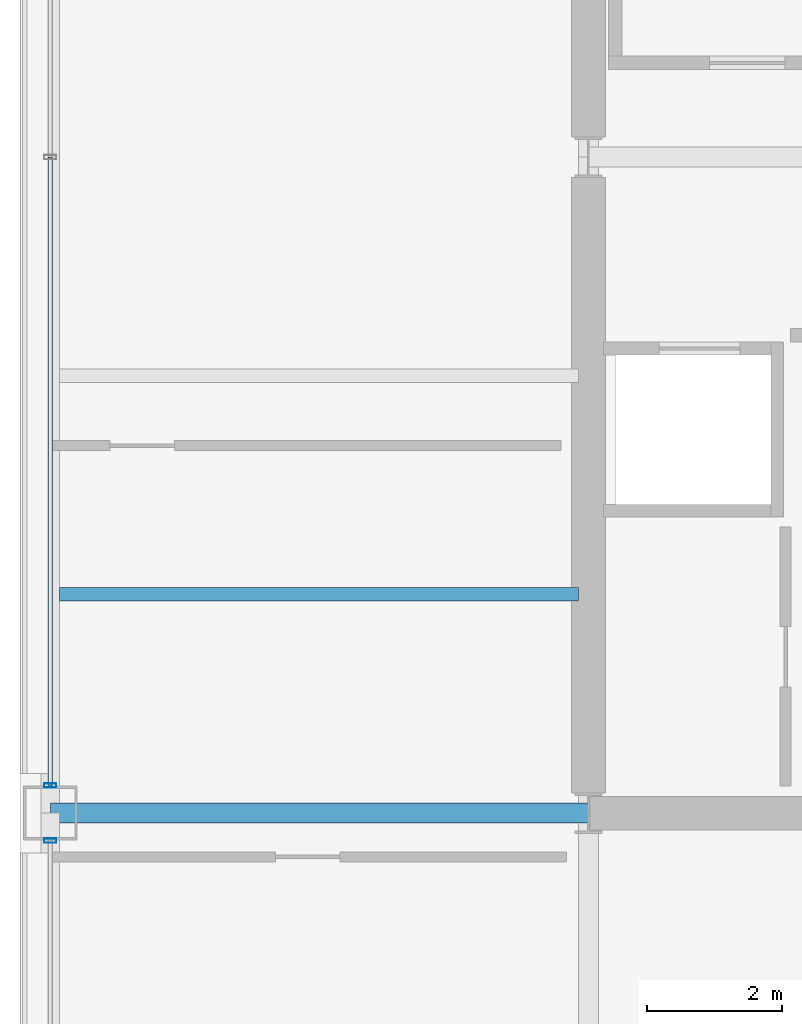
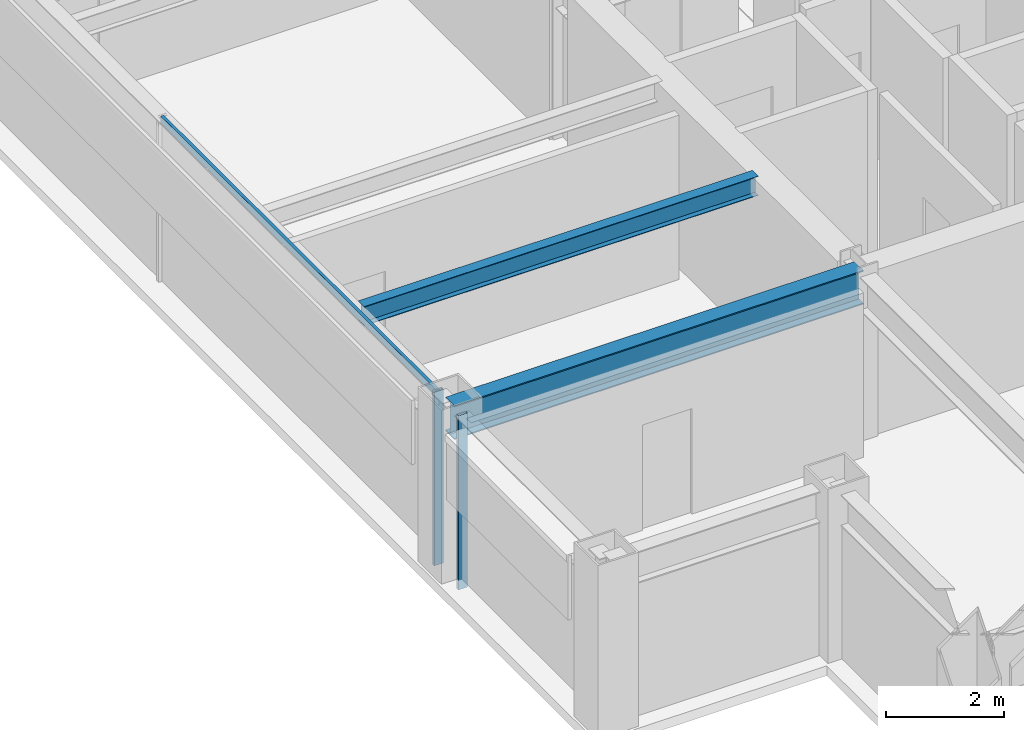
# One storey, part 4 of 29: 3 members, 2 beams, 2 elements without a shape of their own.
"""IFC4 building model written with IfcOpenShell, lengths in metres."""

from ifc_helpers import new_model, si_unit, direction, frame, origin, origin_2d, place, context, subcontext, project, spatial, hollow_rectangle, i_section, extrude, material, layer, layer_set, material_profile, profile_set, type_object, element, aggregate, save


model = new_model("IFC4")

# Units and contexts
model_context = context("Model", 3, precision=1e-05, world=origin(), true_north=direction((0.0, 1.0)))
body_context = subcontext(model_context, "Body", "Model", "MODEL_VIEW")
ifc_project = project(units=[si_unit("LENGTHUNIT", "METRE"), si_unit("AREAUNIT", "SQUARE_METRE"), si_unit("VOLUMEUNIT", "CUBIC_METRE"), si_unit("PLANEANGLEUNIT", "RADIAN"), si_unit("MASSUNIT", "GRAM", prefix="KILO")], contexts=[model_context])

# Site, building, storey
site_placement = place(None, origin())
site = spatial("IfcSite", under=ifc_project, at=site_placement, CompositionType="ELEMENT")
building_placement = place(site_placement, origin())
building = spatial("IfcBuilding", under=site, at=building_placement, Name="Brelmoor Portico Tower", CompositionType="ELEMENT")
storey_placement = place(building_placement, frame((0.0, 0.0, 138.60009765625)))
storey = spatial("IfcBuildingStorey", under=building, at=storey_placement, Name="L36", CompositionType="ELEMENT", Elevation=138.60009765625)

# Beams
ifc_material_1 = material(Name="Steel Q355B", Category="steel")
ifc_material_profile_1 = material_profile(ifc_material_1, i_section(OverallWidth=0.199951171875, OverallDepth=0.39990234375, WebThickness=0.008056640625, FlangeThickness=0.012939453125, at=origin_2d()), Name="HN 400x200x8x13")
ifc_profile_set_1 = profile_set([ifc_material_profile_1], Name="Steel Q355B")
beam_type_1 = type_object("IfcBeamType", Name="BM-JS-400", PredefinedType="JOIST", material=ifc_profile_set_1)
beam_1_placement = place(storey_placement, frame((-22.409912109375, -6.5, 3.199951171875), z_axis=(1.0, 0.0, 0.0), x_axis=(0.0, 1.0, 0.0)))
element("IfcBeam", 1, at=beam_1_placement, inside=storey, type_object=beam_type_1, Name="L36 Secondary Wing Joist JS-W05", PredefinedType="JOIST", context=body_context, shape_type="SweptSolid", body=[
    extrude(i_section(OverallWidth=0.199951171875, OverallDepth=0.39990234375, WebThickness=0.008056640625, FlangeThickness=0.012939453125, at=origin_2d()), origin(), (0.0, 0.0, 1.0), 7.7099609375),
])
ifc_material_profile_2 = material_profile(ifc_material_1, i_section(OverallWidth=0.300048828125, OverallDepth=0.699951171875, WebThickness=0.012939453125, FlangeThickness=0.02392578125, at=origin_2d()), Name="HN 700x300x13x24")
ifc_profile_set_2 = profile_set([ifc_material_profile_2], Name="Steel Q355B")
beam_type_2 = type_object("IfcBeamType", Name="BM-PG-700", PredefinedType="BEAM", material=ifc_profile_set_2)
beam_2_placement = place(storey_placement, frame((-22.550048828125, -9.75, 3.0498046875), z_axis=(1.0, 0.0, 0.0), x_axis=(0.0, 1.0, 0.0)))
element("IfcBeam", 2, at=beam_2_placement, inside=storey, type_object=beam_type_2, Name="L36 Primary Floor Girder PG-14", PredefinedType="BEAM", context=body_context, shape_type="SweptSolid", body=[
    extrude(i_section(OverallWidth=0.300048828125, OverallDepth=0.699951171875, WebThickness=0.012939453125, FlangeThickness=0.02392578125, at=origin_2d()), origin(), (0.0, 0.0, 1.0), 8.0),
])

# Curtain wall, member
ifc_material_2 = material(Name="Anodised Aluminium Alloy 6063-T6", Category="aluminium")
ifc_layer = layer(ifc_material_2, 0.179931640625)
ifc_layer_set = layer_set([ifc_layer], Name="Anodised Aluminium Alloy 6063-T6")
curtain_wall_type = type_object("IfcCurtainWallType", Name="CW-TOWER-Z2-XB", PredefinedType="NOTDEFINED", material=ifc_layer_set)
curtain_wall_1_placement = place(storey_placement, origin())
curtain_wall_1 = element("IfcCurtainWall", 3, at=curtain_wall_1_placement, inside=storey, type_object=curtain_wall_type, Name="L36 Curtain Wall CW-L36-03-1", PredefinedType="NOTDEFINED")
ifc_material_profile_3 = material_profile(ifc_material_2, hollow_rectangle(XDim=0.06494140625, YDim=0.179931640625, WallThickness=0.00390625, at=origin_2d()), Name="ALU MULLION 65x180")
ifc_profile_set_3 = profile_set([ifc_material_profile_3], Name="Anodised Aluminium Alloy 6063-T6")
member_type_1 = type_object("IfcMemberType", Name="MB-CW-MULL-180", PredefinedType="MULLION", material=ifc_profile_set_3)
member_1_placement = place(storey_placement, frame((-22.550048828125, -10.159912109375, -0.2001953125), z_axis=(0.0, 0.0, 1.0), x_axis=(0.0, 1.0, 0.0)))
member_1 = element("IfcMember", 4, at=member_1_placement, type_object=member_type_1, Name="CW-L36-03-1 Mullion 01", PredefinedType="MULLION", context=body_context, shape_type="SweptSolid", body=[
    extrude(hollow_rectangle(XDim=0.06494140625, YDim=0.179931640625, WallThickness=0.00390625, at=origin_2d()), origin(), (0.0, 0.0, 1.0), 3.60009765625),
])
aggregate(curtain_wall_1, [member_1])

# Curtain wall, members
curtain_wall_2_placement = place(storey_placement, origin())
curtain_wall_2 = element("IfcCurtainWall", 5, at=curtain_wall_2_placement, inside=storey, type_object=curtain_wall_type, Name="L36 Curtain Wall CW-L36-03-2", PredefinedType="NOTDEFINED")
member_2_placement = place(storey_placement, frame((-22.550048828125, -9.340087890625, -0.2001953125), z_axis=(0.0, 0.0, 1.0), x_axis=(0.0, 1.0, 0.0)))
member_2 = element("IfcMember", 6, at=member_2_placement, type_object=member_type_1, Name="CW-L36-03-2 Mullion 00", PredefinedType="MULLION", context=body_context, shape_type="SweptSolid", body=[
    extrude(hollow_rectangle(XDim=0.06494140625, YDim=0.179931640625, WallThickness=0.00390625, at=origin_2d()), origin(), (0.0, 0.0, 1.0), 3.60009765625),
])
ifc_material_profile_4 = material_profile(ifc_material_2, hollow_rectangle(XDim=0.06494140625, YDim=0.139892578125, WallThickness=0.00390625, at=origin_2d()), Name="ALU TRANSOM 65x140")
ifc_profile_set_4 = profile_set([ifc_material_profile_4], Name="Anodised Aluminium Alloy 6063-T6")
member_type_2 = type_object("IfcMemberType", Name="MB-CW-TRAN-140", PredefinedType="USERDEFINED", material=ifc_profile_set_4)
member_3_placement = place(storey_placement, frame((-22.550048828125, -9.340087890625, 3.329833984375), z_axis=(0.0, 1.0, 0.0), x_axis=(-1.0, 0.0, 0.0)))
member_3 = element("IfcMember", 7, at=member_3_placement, type_object=member_type_2, Name="CW-L36-03-2 Transom 1-00", ObjectType="TRANSOM", PredefinedType="USERDEFINED", context=body_context, shape_type="SweptSolid", body=[
    extrude(hollow_rectangle(XDim=0.06494140625, YDim=0.139892578125, WallThickness=0.00390625, at=origin_2d()), origin(), (0.0, 0.0, 1.0), 9.340087890625),
])
aggregate(curtain_wall_2, [member_2, member_3])

save(model, "model.ifc")
